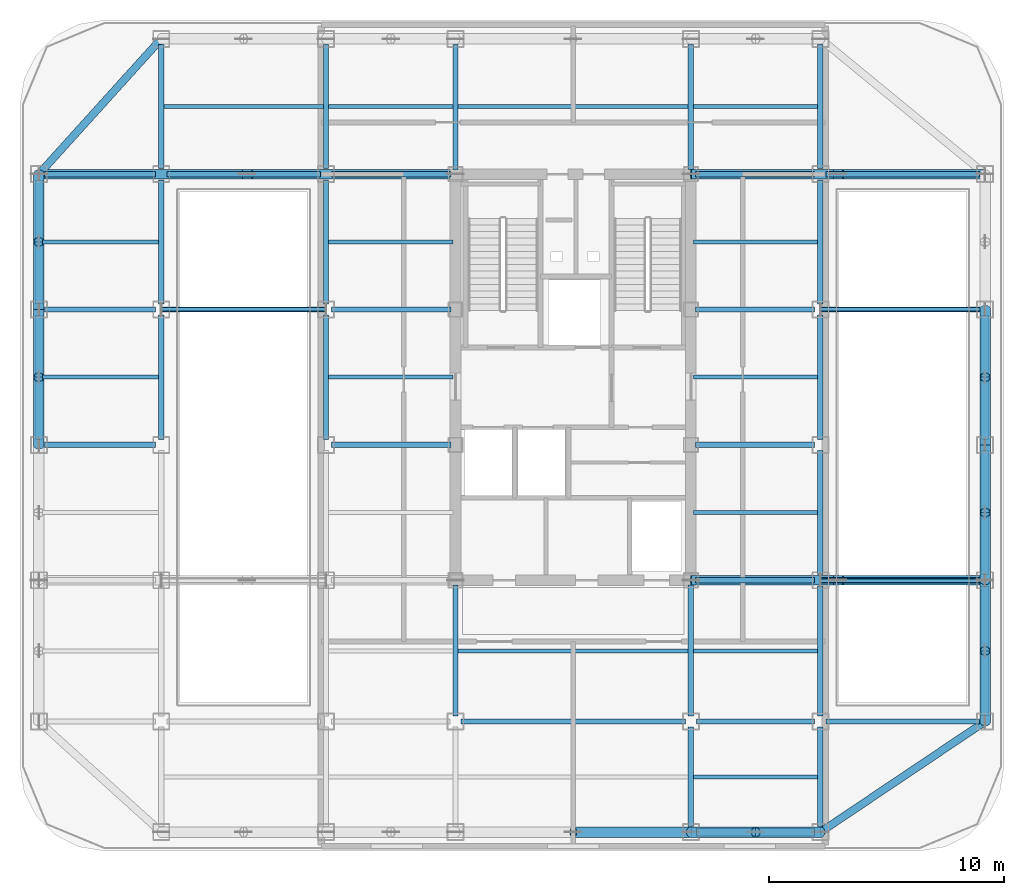
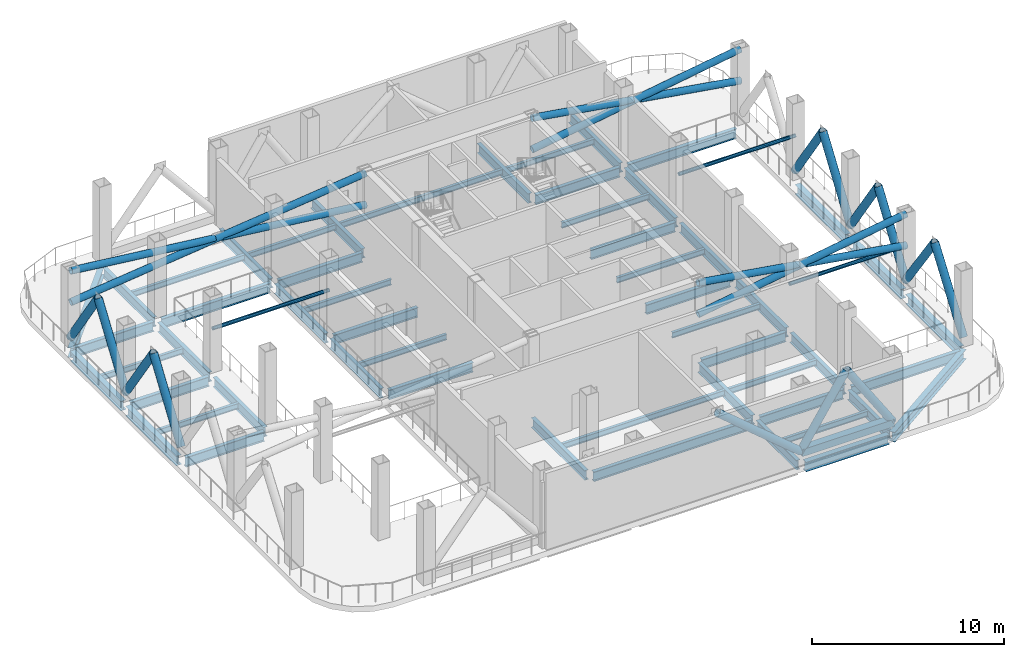
# One storey, part 2 of 10: 54 beams, 26 members.
"""IFC4 building model written with IfcOpenShell, lengths in metres."""

from ifc_helpers import new_model, si_unit, direction, frame, origin, origin_2d, place, context, subcontext, project, spatial, hollow_rectangle, hollow_circle, i_section, extrude, source, transform, mapped, material, material_profile, profile_set, type_object, element, save


model = new_model("IFC4")

# Units and contexts
model_context = context("Model", 3, precision=1e-05, world=origin(), true_north=direction((0.0, 1.0)))
body_context = subcontext(model_context, "Body", "Model", "MODEL_VIEW")
ifc_project = project(units=[si_unit("LENGTHUNIT", "METRE"), si_unit("AREAUNIT", "SQUARE_METRE"), si_unit("VOLUMEUNIT", "CUBIC_METRE"), si_unit("PLANEANGLEUNIT", "RADIAN"), si_unit("MASSUNIT", "GRAM", prefix="KILO")], contexts=[model_context])

# Site, building, storey
site_placement = place(None, origin())
site = spatial("IfcSite", under=ifc_project, at=site_placement, CompositionType="ELEMENT")
building_placement = place(site_placement, origin())
building = spatial("IfcBuilding", under=site, at=building_placement, Name="Kolveth Station Tower", CompositionType="ELEMENT")
storey_placement = place(building_placement, frame((0.0, 0.0, 188.10009765625)))
storey = spatial("IfcBuildingStorey", under=building, at=storey_placement, Name="L53", CompositionType="ELEMENT", Elevation=188.10009765625)

# Beams
ifc_material_1 = material(Name="Steel S355", Category="steel")
ifc_material_profile_1 = material_profile(ifc_material_1, i_section(OverallWidth=0.323974609375, OverallDepth=0.611083984375, WebThickness=0.0126953125, FlangeThickness=0.01904296875, at=origin_2d()), Name="W610x155")
ifc_profile_set_1 = profile_set([ifc_material_profile_1], Name="Steel S355")
beam_type_1 = type_object("IfcBeamType", Name="Beam_SP2", PredefinedType="SPANDREL", material=ifc_profile_set_1)
shared_shape_1 = source(origin(), body_context, "Body", "SweptSolid", [
    extrude(i_section(OverallWidth=0.323974609375, OverallDepth=0.611083984375, WebThickness=0.0126953125, FlangeThickness=0.01904296875, at=origin_2d()), origin(), (0.0, 0.0, 1.0), 7.75244140625),
])
beam_1_placement = place(storey_placement, frame((6.0, 34.5, -0.66552734375), z_axis=(-0.670740965555, -0.74169168603, 0.0), x_axis=(0.74169168603, -0.670740965555, 0.0)))
element("IfcBeam", 1, at=beam_1_placement, inside=storey, type_object=beam_type_1, Name="L53 Corner Edge Girder BM-L53-CNR-NW", PredefinedType="SPANDREL", context=body_context, shape_type="MappedRepresentation", body=[
    mapped(shared_shape_1, transform((0.0, 0.0, 0.0), x_axis=(1.0, 0.0, 0.0), y_axis=(0.0, 1.0, 0.0), z_axis=(0.0, 0.0, 1.0), scale=1.0)),
])
shared_shape_2 = source(origin(), body_context, "Body", "SweptSolid", [
    extrude(i_section(OverallWidth=0.323974609375, OverallDepth=0.611083984375, WebThickness=0.0126953125, FlangeThickness=0.01904296875, at=origin_2d()), origin(), (0.0, 0.0, 1.0), 5.02001953125),
])
beam_2_placement = place(storey_placement, frame((28.739990234375, 0.800048828125, -0.66552734375), z_axis=(1.0, 0.0, 0.0), x_axis=(0.0, 1.0, 0.0)))
element("IfcBeam", 2, at=beam_2_placement, inside=storey, type_object=beam_type_1, Name="L53 Perimeter Spandrel BM-L53-PS-4", PredefinedType="SPANDREL", context=body_context, shape_type="MappedRepresentation", body=[
    mapped(shared_shape_2, transform((0.0, 0.0, 0.0), x_axis=(1.0, 0.0, 0.0), y_axis=(0.0, 1.0, 0.0), z_axis=(0.0, 0.0, 1.0), scale=1.0)),
])
shared_shape_3 = source(origin(), body_context, "Body", "SweptSolid", [
    extrude(i_section(OverallWidth=0.323974609375, OverallDepth=0.611083984375, WebThickness=0.0126953125, FlangeThickness=0.01904296875, at=origin_2d()), origin(), (0.0, 0.0, 1.0), 5.52001953125),
])
beam_3_placement = place(storey_placement, frame((41.0, 5.739990234375, -0.66552734375), z_axis=(0.0, 1.0, 0.0), x_axis=(-1.0, 0.0, 0.0)))
element("IfcBeam", 3, at=beam_3_placement, inside=storey, type_object=beam_type_1, Name="L53 Perimeter Spandrel BM-L53-PE-1", PredefinedType="SPANDREL", context=body_context, shape_type="MappedRepresentation", body=[
    mapped(shared_shape_3, transform((0.0, 0.0, 0.0), x_axis=(1.0, 0.0, 0.0), y_axis=(0.0, 1.0, 0.0), z_axis=(0.0, 0.0, 1.0), scale=1.0)),
])
shared_shape_4 = source(origin(), body_context, "Body", "SweptSolid", [
    extrude(i_section(OverallWidth=0.323974609375, OverallDepth=0.611083984375, WebThickness=0.0126953125, FlangeThickness=0.01904296875, at=origin_2d()), origin(), (0.0, 0.0, 1.0), 5.27001953125),
])
for number, where, z_axis, x_axis, name in (
    (4, (0.800048828125, 17.489990234375, -0.66552734375), (0.0, 1.0, 0.0), (-1.0, 0.0, 0.0), "L53 Perimeter Spandrel BM-L53-PW-3"),
    (5, (0.800048828125, 23.239990234375, -0.66552734375), (0.0, 1.0, 0.0), (-1.0, 0.0, 0.0), "L53 Perimeter Spandrel BM-L53-PW-4"),
    (6, (41.0, 11.739990234375, -0.66552734375), (0.0, 1.0, 0.0), (-1.0, 0.0, 0.0), "L53 Perimeter Spandrel BM-L53-PE-2"),
    (7, (41.0, 17.489990234375, -0.66552734375), (0.0, 1.0, 0.0), (-1.0, 0.0, 0.0), "L53 Perimeter Spandrel BM-L53-PE-3"),
):
    element("IfcBeam", number, at=place(storey_placement, frame(where, z_axis=z_axis, x_axis=x_axis)), inside=storey, type_object=beam_type_1, Name=name, PredefinedType="SPANDREL", context=body_context, shape_type="MappedRepresentation", body=[
        mapped(shared_shape_4, transform((0.0, 0.0, 0.0), x_axis=(1.0, 0.0, 0.0), y_axis=(0.0, 1.0, 0.0), z_axis=(0.0, 0.0, 1.0), scale=1.0)),
    ])
shared_shape_5 = source(origin(), body_context, "Body", "SweptSolid", [
    extrude(i_section(OverallWidth=0.323974609375, OverallDepth=0.611083984375, WebThickness=0.0126953125, FlangeThickness=0.01904296875, at=origin_2d()), origin(), (0.0, 0.0, 1.0), 8.431396484375),
])
beam_4_placement = place(storey_placement, frame((34.0, 0.800048828125, -0.66552734375), z_axis=(0.830223811004, 0.557430196206, 0.0), x_axis=(-0.557430196206, 0.830223811004, 0.0)))
element("IfcBeam", 8, at=beam_4_placement, inside=storey, type_object=beam_type_1, Name="L53 Corner Edge Girder BM-L53-CNR-SE", PredefinedType="SPANDREL", context=body_context, shape_type="MappedRepresentation", body=[
    mapped(shared_shape_5, transform((0.0, 0.0, 0.0), x_axis=(1.0, 0.0, 0.0), y_axis=(0.0, 1.0, 0.0), z_axis=(0.0, 0.0, 1.0), scale=1.0)),
])
ifc_material_profile_2 = material_profile(ifc_material_1, i_section(OverallWidth=0.22900390625, OverallDepth=0.612060546875, WebThickness=0.011962890625, FlangeThickness=0.01953125, at=origin_2d()), Name="W610x125")
ifc_profile_set_2 = profile_set([ifc_material_profile_2], Name="Steel S355")
beam_type_2 = type_object("IfcBeamType", Name="Beam_B5", PredefinedType="BEAM", material=ifc_profile_set_2)
shared_shape_6 = source(origin(), body_context, "Body", "SweptSolid", [
    extrude(i_section(OverallWidth=0.22900390625, OverallDepth=0.612060546875, WebThickness=0.011962890625, FlangeThickness=0.01953125, at=origin_2d()), origin(), (0.0, 0.0, 1.0), 4.719970703125),
])
for number, where, z_axis, x_axis, name in (
    (9, (1.0400390625, 17.25, -0.666015625), (1.0, 0.0, 0.0), (0.0, 1.0, 0.0), "L53 Primary Girder BM-L53-GY172-1"),
    (10, (1.0400390625, 23.0, -0.666015625), (1.0, 0.0, 0.0), (0.0, 1.0, 0.0), "L53 Primary Girder BM-L53-GY230-1"),
    (11, (1.0400390625, 28.75, -0.666015625), (1.0, 0.0, 0.0), (0.0, 1.0, 0.0), "L53 Primary Girder BM-L53-GY287-1"),
):
    element("IfcBeam", number, at=place(storey_placement, frame(where, z_axis=z_axis, x_axis=x_axis)), inside=storey, type_object=beam_type_2, Name=name, PredefinedType="BEAM", context=body_context, shape_type="MappedRepresentation", body=[
        mapped(shared_shape_6, transform((0.0, 0.0, 0.0), x_axis=(1.0, 0.0, 0.0), y_axis=(0.0, 1.0, 0.0), z_axis=(0.0, 0.0, 1.0), scale=1.0)),
    ])
shared_shape_7 = source(origin(), body_context, "Body", "SweptSolid", [
    extrude(i_section(OverallWidth=0.22900390625, OverallDepth=0.612060546875, WebThickness=0.011962890625, FlangeThickness=0.01953125, at=origin_2d()), origin(), (0.0, 0.0, 1.0), 6.52001953125),
])
for number, where, z_axis, x_axis, name in (
    (12, (34.239990234375, 5.5, -0.666015625), (1.0, 0.0, 0.0), (0.0, 1.0, 0.0), "L53 Primary Girder BM-L53-GY55-6"),
    (13, (6.239990234375, 28.75, -0.666015625), (1.0, 0.0, 0.0), (0.0, 1.0, 0.0), "L53 Primary Girder BM-L53-GY287-2"),
    (14, (34.239990234375, 28.75, -0.666015625), (1.0, 0.0, 0.0), (0.0, 1.0, 0.0), "L53 Primary Girder BM-L53-GY287-6"),
):
    element("IfcBeam", number, at=place(storey_placement, frame(where, z_axis=z_axis, x_axis=x_axis)), inside=storey, type_object=beam_type_2, Name=name, PredefinedType="BEAM", context=body_context, shape_type="MappedRepresentation", body=[
        mapped(shared_shape_7, transform((0.0, 0.0, 0.0), x_axis=(1.0, 0.0, 0.0), y_axis=(0.0, 1.0, 0.0), z_axis=(0.0, 0.0, 1.0), scale=1.0)),
    ])
shared_shape_8 = source(origin(), body_context, "Body", "SweptSolid", [
    extrude(i_section(OverallWidth=0.22900390625, OverallDepth=0.612060546875, WebThickness=0.011962890625, FlangeThickness=0.01953125, at=origin_2d()), origin(), (0.0, 0.0, 1.0), 5.02001953125),
])
beam_5_placement = place(storey_placement, frame((28.739990234375, 5.5, -0.666015625), z_axis=(1.0, 0.0, 0.0), x_axis=(0.0, 1.0, 0.0)))
element("IfcBeam", 15, at=beam_5_placement, inside=storey, type_object=beam_type_2, Name="L53 Primary Girder BM-L53-GY55-5", PredefinedType="BEAM", context=body_context, shape_type="MappedRepresentation", body=[
    mapped(shared_shape_8, transform((0.0, 0.0, 0.0), x_axis=(1.0, 0.0, 0.0), y_axis=(0.0, 1.0, 0.0), z_axis=(0.0, 0.0, 1.0), scale=1.0)),
])
shared_shape_9 = source(origin(), body_context, "Body", "SweptSolid", [
    extrude(i_section(OverallWidth=0.22900390625, OverallDepth=0.612060546875, WebThickness=0.011962890625, FlangeThickness=0.01953125, at=origin_2d()), origin(), (0.0, 0.0, 1.0), 9.52001953125),
])
beam_6_placement = place(storey_placement, frame((18.739990234375, 5.5, -0.666015625), z_axis=(1.0, 0.0, 0.0), x_axis=(0.0, 1.0, 0.0)))
element("IfcBeam", 16, at=beam_6_placement, inside=storey, type_object=beam_type_2, Name="L53 Primary Girder BM-L53-GY55-4", PredefinedType="BEAM", context=body_context, shape_type="MappedRepresentation", body=[
    mapped(shared_shape_9, transform((0.0, 0.0, 0.0), x_axis=(1.0, 0.0, 0.0), y_axis=(0.0, 1.0, 0.0), z_axis=(0.0, 0.0, 1.0), scale=1.0)),
])
shared_shape_10 = source(origin(), body_context, "Body", "SweptSolid", [
    extrude(i_section(OverallWidth=0.22900390625, OverallDepth=0.612060546875, WebThickness=0.011962890625, FlangeThickness=0.01953125, at=origin_2d()), origin(), (0.0, 0.0, 1.0), 5.06005859375),
])
for number, where, z_axis, x_axis, name in (
    (17, (28.699951171875, 11.5, -0.666015625), (1.0, 0.0, 0.0), (0.0, 1.0, 0.0), "L53 Primary Girder BM-L53-GY115-5"),
    (18, (13.239990234375, 17.25, -0.666015625), (1.0, 0.0, 0.0), (0.0, 1.0, 0.0), "L53 Primary Girder BM-L53-GY172-3"),
    (19, (28.699951171875, 17.25, -0.666015625), (1.0, 0.0, 0.0), (0.0, 1.0, 0.0), "L53 Primary Girder BM-L53-GY172-5"),
    (20, (13.239990234375, 23.0, -0.666015625), (1.0, 0.0, 0.0), (0.0, 1.0, 0.0), "L53 Primary Girder BM-L53-GY230-3"),
    (21, (28.699951171875, 23.0, -0.666015625), (1.0, 0.0, 0.0), (0.0, 1.0, 0.0), "L53 Primary Girder BM-L53-GY230-5"),
    (22, (13.239990234375, 28.75, -0.666015625), (1.0, 0.0, 0.0), (0.0, 1.0, 0.0), "L53 Primary Girder BM-L53-GY287-3"),
    (23, (28.699951171875, 28.75, -0.666015625), (1.0, 0.0, 0.0), (0.0, 1.0, 0.0), "L53 Primary Girder BM-L53-GY287-5"),
):
    element("IfcBeam", number, at=place(storey_placement, frame(where, z_axis=z_axis, x_axis=x_axis)), inside=storey, type_object=beam_type_2, Name=name, PredefinedType="BEAM", context=body_context, shape_type="MappedRepresentation", body=[
        mapped(shared_shape_10, transform((0.0, 0.0, 0.0), x_axis=(1.0, 0.0, 0.0), y_axis=(0.0, 1.0, 0.0), z_axis=(0.0, 0.0, 1.0), scale=1.0)),
    ])
shared_shape_11 = source(origin(), body_context, "Body", "SweptSolid", [
    extrude(i_section(OverallWidth=0.22900390625, OverallDepth=0.612060546875, WebThickness=0.011962890625, FlangeThickness=0.01953125, at=origin_2d()), origin(), (0.0, 0.0, 1.0), 4.219970703125),
])
for number, where, z_axis, x_axis, name in (
    (24, (28.5, 1.0400390625, -0.666015625), (0.0, 1.0, 0.0), (-1.0, 0.0, 0.0), "L53 Primary Girder BM-L53-GX285-1"),
    (25, (34.0, 1.0400390625, -0.666015625), (0.0, 1.0, 0.0), (-1.0, 0.0, 0.0), "L53 Primary Girder BM-L53-GX340-1"),
):
    element("IfcBeam", number, at=place(storey_placement, frame(where, z_axis=z_axis, x_axis=x_axis)), inside=storey, type_object=beam_type_2, Name=name, PredefinedType="BEAM", context=body_context, shape_type="MappedRepresentation", body=[
        mapped(shared_shape_11, transform((0.0, 0.0, 0.0), x_axis=(1.0, 0.0, 0.0), y_axis=(0.0, 1.0, 0.0), z_axis=(0.0, 0.0, 1.0), scale=1.0)),
    ])
shared_shape_12 = source(origin(), body_context, "Body", "SweptSolid", [
    extrude(i_section(OverallWidth=0.22900390625, OverallDepth=0.612060546875, WebThickness=0.011962890625, FlangeThickness=0.01953125, at=origin_2d()), origin(), (0.0, 0.0, 1.0), 5.52001953125),
])
beam_7_placement = place(storey_placement, frame((34.0, 5.739990234375, -0.666015625), z_axis=(0.0, 1.0, 0.0), x_axis=(-1.0, 0.0, 0.0)))
element("IfcBeam", 26, at=beam_7_placement, inside=storey, type_object=beam_type_2, Name="L53 Primary Girder BM-L53-GX340-2", PredefinedType="BEAM", context=body_context, shape_type="MappedRepresentation", body=[
    mapped(shared_shape_12, transform((0.0, 0.0, 0.0), x_axis=(1.0, 0.0, 0.0), y_axis=(0.0, 1.0, 0.0), z_axis=(0.0, 0.0, 1.0), scale=1.0)),
])
shared_shape_13 = source(origin(), body_context, "Body", "SweptSolid", [
    extrude(i_section(OverallWidth=0.22900390625, OverallDepth=0.612060546875, WebThickness=0.011962890625, FlangeThickness=0.01953125, at=origin_2d()), origin(), (0.0, 0.0, 1.0), 5.27001953125),
])
for number, where, z_axis, x_axis, name in (
    (27, (6.0, 17.489990234375, -0.666015625), (0.0, 1.0, 0.0), (-1.0, 0.0, 0.0), "L53 Primary Girder BM-L53-GX60-4"),
    (28, (6.0, 23.239990234375, -0.666015625), (0.0, 1.0, 0.0), (-1.0, 0.0, 0.0), "L53 Primary Girder BM-L53-GX60-5"),
    (29, (6.0, 28.989990234375, -0.666015625), (0.0, 1.0, 0.0), (-1.0, 0.0, 0.0), "L53 Primary Girder BM-L53-GX60-6"),
    (30, (13.0, 17.489990234375, -0.666015625), (0.0, 1.0, 0.0), (-1.0, 0.0, 0.0), "L53 Primary Girder BM-L53-GX130-4"),
    (31, (13.0, 23.239990234375, -0.666015625), (0.0, 1.0, 0.0), (-1.0, 0.0, 0.0), "L53 Primary Girder BM-L53-GX130-5"),
    (32, (13.0, 28.989990234375, -0.666015625), (0.0, 1.0, 0.0), (-1.0, 0.0, 0.0), "L53 Primary Girder BM-L53-GX130-6"),
    (33, (34.0, 11.739990234375, -0.666015625), (0.0, 1.0, 0.0), (-1.0, 0.0, 0.0), "L53 Primary Girder BM-L53-GX340-3"),
    (34, (34.0, 17.489990234375, -0.666015625), (0.0, 1.0, 0.0), (-1.0, 0.0, 0.0), "L53 Primary Girder BM-L53-GX340-4"),
    (35, (34.0, 23.239990234375, -0.666015625), (0.0, 1.0, 0.0), (-1.0, 0.0, 0.0), "L53 Primary Girder BM-L53-GX340-5"),
    (36, (34.0, 28.989990234375, -0.666015625), (0.0, 1.0, 0.0), (-1.0, 0.0, 0.0), "L53 Primary Girder BM-L53-GX340-6"),
):
    element("IfcBeam", number, at=place(storey_placement, frame(where, z_axis=z_axis, x_axis=x_axis)), inside=storey, type_object=beam_type_2, Name=name, PredefinedType="BEAM", context=body_context, shape_type="MappedRepresentation", body=[
        mapped(shared_shape_13, transform((0.0, 0.0, 0.0), x_axis=(1.0, 0.0, 0.0), y_axis=(0.0, 1.0, 0.0), z_axis=(0.0, 0.0, 1.0), scale=1.0)),
    ])
shared_shape_14 = source(origin(), body_context, "Body", "SweptSolid", [
    extrude(i_section(OverallWidth=0.22900390625, OverallDepth=0.612060546875, WebThickness=0.011962890625, FlangeThickness=0.01953125, at=origin_2d()), origin(), (0.0, 0.0, 1.0), 5.56005859375),
])
for number, where, z_axis, x_axis, name in (
    (37, (18.5, 5.739990234375, -0.666015625), (0.0, 1.0, 0.0), (-1.0, 0.0, 0.0), "L53 Primary Girder BM-L53-GX185-2"),
    (38, (28.5, 5.739990234375, -0.666015625), (0.0, 1.0, 0.0), (-1.0, 0.0, 0.0), "L53 Primary Girder BM-L53-GX285-2"),
):
    element("IfcBeam", number, at=place(storey_placement, frame(where, z_axis=z_axis, x_axis=x_axis)), inside=storey, type_object=beam_type_2, Name=name, PredefinedType="BEAM", context=body_context, shape_type="MappedRepresentation", body=[
        mapped(shared_shape_14, transform((0.0, 0.0, 0.0), x_axis=(1.0, 0.0, 0.0), y_axis=(0.0, 1.0, 0.0), z_axis=(0.0, 0.0, 1.0), scale=1.0)),
    ])
shared_shape_15 = source(origin(), body_context, "Body", "SweptSolid", [
    extrude(i_section(OverallWidth=0.22900390625, OverallDepth=0.612060546875, WebThickness=0.011962890625, FlangeThickness=0.01953125, at=origin_2d()), origin(), (0.0, 0.0, 1.0), 5.31005859375),
])
for number, where, z_axis, x_axis, name in (
    (39, (18.5, 28.949951171875, -0.666015625), (0.0, 1.0, 0.0), (-1.0, 0.0, 0.0), "L53 Primary Girder BM-L53-GX185-6"),
    (40, (28.5, 28.949951171875, -0.666015625), (0.0, 1.0, 0.0), (-1.0, 0.0, 0.0), "L53 Primary Girder BM-L53-GX285-6"),
):
    element("IfcBeam", number, at=place(storey_placement, frame(where, z_axis=z_axis, x_axis=x_axis)), inside=storey, type_object=beam_type_2, Name=name, PredefinedType="BEAM", context=body_context, shape_type="MappedRepresentation", body=[
        mapped(shared_shape_15, transform((0.0, 0.0, 0.0), x_axis=(1.0, 0.0, 0.0), y_axis=(0.0, 1.0, 0.0), z_axis=(0.0, 0.0, 1.0), scale=1.0)),
    ])
ifc_material_profile_3 = material_profile(ifc_material_1, i_section(OverallWidth=0.1708984375, OverallDepth=0.35205078125, WebThickness=0.0068359375, FlangeThickness=0.009765625, at=origin_2d()), Name="W360x44")
ifc_profile_set_3 = profile_set([ifc_material_profile_3], Name="Steel S355")
beam_type_3 = type_object("IfcBeamType", Name="Beam_J2", PredefinedType="JOIST", material=ifc_profile_set_3)
shared_shape_16 = source(origin(), body_context, "Body", "SweptSolid", [
    extrude(i_section(OverallWidth=0.1708984375, OverallDepth=0.35205078125, WebThickness=0.0068359375, FlangeThickness=0.009765625, at=origin_2d()), origin(), (0.0, 0.0, 1.0), 4.927490234375),
])
for number, where, z_axis, x_axis, name in (
    (41, (0.9599609375, 20.125, -0.5361328125), (1.0, 0.0, 0.0), (0.0, 1.0, 0.0), "L53 Secondary Joist JST-L53-1-4"),
    (42, (0.9599609375, 25.875, -0.5361328125), (1.0, 0.0, 0.0), (0.0, 1.0, 0.0), "L53 Secondary Joist JST-L53-1-5"),
):
    element("IfcBeam", number, at=place(storey_placement, frame(where, z_axis=z_axis, x_axis=x_axis)), inside=storey, type_object=beam_type_3, Name=name, PredefinedType="JOIST", context=body_context, shape_type="MappedRepresentation", body=[
        mapped(shared_shape_16, transform((0.0, 0.0, 0.0), x_axis=(1.0, 0.0, 0.0), y_axis=(0.0, 1.0, 0.0), z_axis=(0.0, 0.0, 1.0), scale=1.0)),
    ])
shared_shape_17 = source(origin(), body_context, "Body", "SweptSolid", [
    extrude(i_section(OverallWidth=0.1708984375, OverallDepth=0.35205078125, WebThickness=0.0068359375, FlangeThickness=0.009765625, at=origin_2d()), origin(), (0.0, 0.0, 1.0), 6.77490234375),
])
beam_8_placement = place(storey_placement, frame((6.112548828125, 31.625, -0.5361328125), z_axis=(1.0, 0.0, 0.0), x_axis=(0.0, 1.0, 0.0)))
element("IfcBeam", 43, at=beam_8_placement, inside=storey, type_object=beam_type_3, Name="L53 Secondary Joist JST-L53-2-6", PredefinedType="JOIST", context=body_context, shape_type="MappedRepresentation", body=[
    mapped(shared_shape_17, transform((0.0, 0.0, 0.0), x_axis=(1.0, 0.0, 0.0), y_axis=(0.0, 1.0, 0.0), z_axis=(0.0, 0.0, 1.0), scale=1.0)),
])
shared_shape_18 = source(origin(), body_context, "Body", "SweptSolid", [
    extrude(i_section(OverallWidth=0.1708984375, OverallDepth=0.35205078125, WebThickness=0.0068359375, FlangeThickness=0.009765625, at=origin_2d()), origin(), (0.0, 0.0, 1.0), 5.27490234375),
])
for number, where, z_axis, x_axis, name in (
    (44, (13.112548828125, 20.125, -0.5361328125), (1.0, 0.0, 0.0), (0.0, 1.0, 0.0), "L53 Secondary Joist JST-L53-3-4"),
    (45, (13.112548828125, 25.875, -0.5361328125), (1.0, 0.0, 0.0), (0.0, 1.0, 0.0), "L53 Secondary Joist JST-L53-3-5"),
    (46, (13.112548828125, 31.625, -0.5361328125), (1.0, 0.0, 0.0), (0.0, 1.0, 0.0), "L53 Secondary Joist JST-L53-3-6"),
    (47, (28.612548828125, 3.14990234375, -0.5361328125), (1.0, 0.0, 0.0), (0.0, 1.0, 0.0), "L53 Secondary Joist JST-L53-5-1"),
    (48, (28.612548828125, 8.5, -0.5361328125), (1.0, 0.0, 0.0), (0.0, 1.0, 0.0), "L53 Secondary Joist JST-L53-5-2"),
    (49, (28.612548828125, 14.375, -0.5361328125), (1.0, 0.0, 0.0), (0.0, 1.0, 0.0), "L53 Secondary Joist JST-L53-5-3"),
    (50, (28.612548828125, 20.125, -0.5361328125), (1.0, 0.0, 0.0), (0.0, 1.0, 0.0), "L53 Secondary Joist JST-L53-5-4"),
    (51, (28.612548828125, 25.875, -0.5361328125), (1.0, 0.0, 0.0), (0.0, 1.0, 0.0), "L53 Secondary Joist JST-L53-5-5"),
    (52, (28.612548828125, 31.625, -0.5361328125), (1.0, 0.0, 0.0), (0.0, 1.0, 0.0), "L53 Secondary Joist JST-L53-5-6"),
):
    element("IfcBeam", number, at=place(storey_placement, frame(where, z_axis=z_axis, x_axis=x_axis)), inside=storey, type_object=beam_type_3, Name=name, PredefinedType="JOIST", context=body_context, shape_type="MappedRepresentation", body=[
        mapped(shared_shape_18, transform((0.0, 0.0, 0.0), x_axis=(1.0, 0.0, 0.0), y_axis=(0.0, 1.0, 0.0), z_axis=(0.0, 0.0, 1.0), scale=1.0)),
    ])
shared_shape_19 = source(origin(), body_context, "Body", "SweptSolid", [
    extrude(i_section(OverallWidth=0.1708984375, OverallDepth=0.35205078125, WebThickness=0.0068359375, FlangeThickness=0.009765625, at=origin_2d()), origin(), (0.0, 0.0, 1.0), 9.77490234375),
])
for number, where, z_axis, x_axis, name in (
    (53, (18.612548828125, 8.5, -0.5361328125), (1.0, 0.0, 0.0), (0.0, 1.0, 0.0), "L53 Secondary Joist JST-L53-4-2"),
    (54, (18.612548828125, 31.625, -0.5361328125), (1.0, 0.0, 0.0), (0.0, 1.0, 0.0), "L53 Secondary Joist JST-L53-4-6"),
):
    element("IfcBeam", number, at=place(storey_placement, frame(where, z_axis=z_axis, x_axis=x_axis)), inside=storey, type_object=beam_type_3, Name=name, PredefinedType="JOIST", context=body_context, shape_type="MappedRepresentation", body=[
        mapped(shared_shape_19, transform((0.0, 0.0, 0.0), x_axis=(1.0, 0.0, 0.0), y_axis=(0.0, 1.0, 0.0), z_axis=(0.0, 0.0, 1.0), scale=1.0)),
    ])

# Members
ifc_material_2 = material(Name="Steel S460", Category="steel")
ifc_material_profile_4 = material_profile(ifc_material_2, hollow_rectangle(XDim=0.449951171875, YDim=0.449951171875, WallThickness=0.02490234375, at=origin_2d()), Name="HSS450x450x25")
ifc_profile_set_4 = profile_set([ifc_material_profile_4], Name="Steel S460")
member_type_1 = type_object("IfcMemberType", Name="Mem_CH1", PredefinedType="CHORD", material=ifc_profile_set_4)
shared_shape_20 = source(origin(), body_context, "Body", "SweptSolid", [
    extrude(hollow_rectangle(XDim=0.449951171875, YDim=0.449951171875, WallThickness=0.02490234375, at=origin_2d()), origin(), (0.0, 0.0, 1.0), 5.5),
])
member_1_placement = place(storey_placement, frame((28.5, 0.800048828125, 0.349853515625), z_axis=(1.0, 0.0, 0.0), x_axis=(0.0, 1.0, 0.0)))
element("IfcMember", 55, at=member_1_placement, inside=storey, type_object=member_type_1, Name="L53 Belt Truss Bottom Chord S4", PredefinedType="CHORD", context=body_context, shape_type="MappedRepresentation", body=[
    mapped(shared_shape_20, transform((0.0, 0.0, 0.0), x_axis=(1.0, 0.0, 0.0), y_axis=(0.0, 1.0, 0.0), z_axis=(0.0, 0.0, 1.0), scale=1.0)),
])
ifc_material_profile_5 = material_profile(ifc_material_2, hollow_circle(Radius=0.228515625, WallThickness=0.02197265625, at=origin_2d()), Name="CHS457x22")
ifc_profile_set_5 = profile_set([ifc_material_profile_5], Name="Steel S460")
member_type_2 = type_object("IfcMemberType", Name="Mem_BR2", PredefinedType="BRACE", material=ifc_profile_set_5)
shared_shape_21 = source(origin(), body_context, "Body", "SweptSolid", [
    extrude(hollow_circle(Radius=0.228515625, WallThickness=0.02197265625, at=origin_2d()), origin(), (0.0, 0.0, 1.0), 5.020263671875),
])
for number, where, z_axis, x_axis, name in (
    (56, (28.5, 0.800048828125, 0.349853515625), (0.547790398843, 0.0, 0.836615610023), (0.0, 1.0, 0.0), "L53 Belt Truss Brace S4A"),
    (57, (34.0, 0.800048828125, 0.349853515625), (-0.547790398843, 0.0, 0.836615610023), (0.0, -1.0, 0.0), "L53 Belt Truss Brace S4B"),
):
    element("IfcMember", number, at=place(storey_placement, frame(where, z_axis=z_axis, x_axis=x_axis)), inside=storey, type_object=member_type_2, Name=name, PredefinedType="BRACE", context=body_context, shape_type="MappedRepresentation", body=[
        mapped(shared_shape_21, transform((0.0, 0.0, 0.0), x_axis=(1.0, 0.0, 0.0), y_axis=(0.0, 1.0, 0.0), z_axis=(0.0, 0.0, 1.0), scale=1.0)),
    ])
shared_shape_22 = source(origin(), body_context, "Body", "SweptSolid", [
    extrude(hollow_circle(Radius=0.228515625, WallThickness=0.02197265625, at=origin_2d()), origin(), (0.0, 0.0, 1.0), 6.52978515625),
])
member_2_placement = place(storey_placement, frame((28.5, 0.800048828125, 0.349853515625), z_axis=(-0.765708547471, 0.0, 0.643187702253), x_axis=(0.0, -1.0, 0.0)))
element("IfcMember", 58, at=member_2_placement, inside=storey, type_object=member_type_2, Name="L53 Belt Truss Brace S3B", PredefinedType="BRACE", context=body_context, shape_type="MappedRepresentation", body=[
    mapped(shared_shape_22, transform((0.0, 0.0, 0.0), x_axis=(1.0, 0.0, 0.0), y_axis=(0.0, 1.0, 0.0), z_axis=(0.0, 0.0, 1.0), scale=1.0)),
])
shared_shape_23 = source(origin(), body_context, "Body", "SweptSolid", [
    extrude(hollow_circle(Radius=0.228515625, WallThickness=0.02197265625, at=origin_2d()), origin(), (0.0, 0.0, 1.0), 5.161376953125),
])
for number, where, z_axis, x_axis, name in (
    (59, (41.0, 5.5, 0.349853515625), (0.0, 0.581242668191, 0.813730275137), (-1.0, 0.0, 0.0), "L53 Belt Truss Brace E1A"),
    (60, (41.0, 11.5, 0.349853515625), (0.0, -0.581242668191, 0.813730275137), (1.0, 0.0, 0.0), "L53 Belt Truss Brace E1B"),
):
    element("IfcMember", number, at=place(storey_placement, frame(where, z_axis=z_axis, x_axis=x_axis)), inside=storey, type_object=member_type_2, Name=name, PredefinedType="BRACE", context=body_context, shape_type="MappedRepresentation", body=[
        mapped(shared_shape_23, transform((0.0, 0.0, 0.0), x_axis=(1.0, 0.0, 0.0), y_axis=(0.0, 1.0, 0.0), z_axis=(0.0, 0.0, 1.0), scale=1.0)),
    ])
shared_shape_24 = source(origin(), body_context, "Body", "SweptSolid", [
    extrude(hollow_circle(Radius=0.228515625, WallThickness=0.02197265625, at=origin_2d()), origin(), (0.0, 0.0, 1.0), 5.089599609375),
])
for number, where, z_axis, x_axis, name in (
    (61, (0.800048828125, 17.25, 0.349853515625), (0.0, 0.564864458726, 0.82518370274), (-1.0, 0.0, 0.0), "L53 Belt Truss Brace W3A"),
    (62, (0.800048828125, 23.0, 0.349853515625), (0.0, -0.564864458726, 0.82518370274), (1.0, 0.0, 0.0), "L53 Belt Truss Brace W3B"),
    (63, (0.800048828125, 23.0, 0.349853515625), (0.0, 0.564864458726, 0.82518370274), (-1.0, 0.0, 0.0), "L53 Belt Truss Brace W4A"),
    (64, (0.800048828125, 28.75, 0.349853515625), (0.0, -0.564864458726, 0.82518370274), (1.0, 0.0, 0.0), "L53 Belt Truss Brace W4B"),
    (65, (41.0, 11.5, 0.349853515625), (0.0, 0.564864458726, 0.82518370274), (-1.0, 0.0, 0.0), "L53 Belt Truss Brace E2A"),
    (66, (41.0, 17.25, 0.349853515625), (0.0, -0.564864458726, 0.82518370274), (1.0, 0.0, 0.0), "L53 Belt Truss Brace E2B"),
    (67, (41.0, 17.25, 0.349853515625), (0.0, 0.564864458726, 0.82518370274), (-1.0, 0.0, 0.0), "L53 Belt Truss Brace E3A"),
    (68, (41.0, 23.0, 0.349853515625), (0.0, -0.564864458726, 0.82518370274), (1.0, 0.0, 0.0), "L53 Belt Truss Brace E3B"),
):
    element("IfcMember", number, at=place(storey_placement, frame(where, z_axis=z_axis, x_axis=x_axis)), inside=storey, type_object=member_type_2, Name=name, PredefinedType="BRACE", context=body_context, shape_type="MappedRepresentation", body=[
        mapped(shared_shape_24, transform((0.0, 0.0, 0.0), x_axis=(1.0, 0.0, 0.0), y_axis=(0.0, 1.0, 0.0), z_axis=(0.0, 0.0, 1.0), scale=1.0)),
    ])
ifc_material_profile_6 = material_profile(ifc_material_1, hollow_circle(Radius=0.202880859375, WallThickness=0.02001953125, at=origin_2d()), Name="CHS406x20")
ifc_profile_set_6 = profile_set([ifc_material_profile_6], Name="Steel S355")
member_type_3 = type_object("IfcMemberType", Name="Mem_BR3", PredefinedType="BRACE", material=ifc_profile_set_6)
shared_shape_25 = source(origin(), body_context, "Body", "SweptSolid", [
    extrude(hollow_circle(Radius=0.202880859375, WallThickness=0.02001953125, at=origin_2d()), origin(), (0.0, 0.0, 1.0), 17.8125),
])
member_3_placement = place(storey_placement, frame((0.800048828125, 28.75, 2.5498046875), z_axis=(0.993676591147, 0.0, 0.112280150549), x_axis=(0.0, 1.0, 0.0)))
element("IfcMember", 69, at=member_3_placement, inside=storey, type_object=member_type_3, Name="L53 Outrigger Continuous Diagonal 3A", PredefinedType="BRACE", context=body_context, shape_type="MappedRepresentation", body=[
    mapped(shared_shape_25, transform((0.0, 0.0, 0.0), x_axis=(1.0, 0.0, 0.0), y_axis=(0.0, 1.0, 0.0), z_axis=(0.0, 0.0, 1.0), scale=1.0)),
])
shared_shape_26 = source(origin(), body_context, "Body", "SweptSolid", [
    extrude(hollow_circle(Radius=0.202880859375, WallThickness=0.02001953125, at=origin_2d()), origin(), (0.0, 0.0, 1.0), 8.686279296875),
])
for number, where, z_axis, x_axis, name in (
    (70, (18.5, 28.75, 2.5498046875), (-0.993676005609, 0.0, 0.112285332421), (0.0, -1.0, 0.0), "L53 Outrigger Split Lower Diagonal 3B1"),
    (71, (9.431396484375, 28.75, 3.57470703125), (-0.993679141217, 0.0, 0.11225758019), (0.0, -1.0, 0.0), "L53 Outrigger Split Upper Diagonal 3B2"),
):
    element("IfcMember", number, at=place(storey_placement, frame(where, z_axis=z_axis, x_axis=x_axis)), inside=storey, type_object=member_type_3, Name=name, PredefinedType="BRACE", context=body_context, shape_type="MappedRepresentation", body=[
        mapped(shared_shape_26, transform((0.0, 0.0, 0.0), x_axis=(1.0, 0.0, 0.0), y_axis=(0.0, 1.0, 0.0), z_axis=(0.0, 0.0, 1.0), scale=1.0)),
    ])
shared_shape_27 = source(origin(), body_context, "Body", "SweptSolid", [
    extrude(hollow_circle(Radius=0.202880859375, WallThickness=0.02001953125, at=origin_2d()), origin(), (0.0, 0.0, 1.0), 12.658935546875),
])
for number, where, z_axis, x_axis, name in (
    (72, (28.5, 11.5, 2.5498046875), (0.987440631917, 0.0, 0.157990501107), (0.0, 1.0, 0.0), "L53 Outrigger Continuous Diagonal 2A"),
    (73, (28.5, 28.75, 2.5498046875), (0.987440631917, 0.0, 0.157990501107), (0.0, 1.0, 0.0), "L53 Outrigger Continuous Diagonal 4A"),
):
    element("IfcMember", number, at=place(storey_placement, frame(where, z_axis=z_axis, x_axis=x_axis)), inside=storey, type_object=member_type_3, Name=name, PredefinedType="BRACE", context=body_context, shape_type="MappedRepresentation", body=[
        mapped(shared_shape_27, transform((0.0, 0.0, 0.0), x_axis=(1.0, 0.0, 0.0), y_axis=(0.0, 1.0, 0.0), z_axis=(0.0, 0.0, 1.0), scale=1.0)),
    ])
shared_shape_28 = source(origin(), body_context, "Body", "SweptSolid", [
    extrude(hollow_circle(Radius=0.202880859375, WallThickness=0.02001953125, at=origin_2d()), origin(), (0.0, 0.0, 1.0), 6.109375),
])
for number, where, z_axis, x_axis, name in (
    (74, (41.0, 11.5, 2.5498046875), (-0.987438138123, 0.0, 0.158006086529), (0.0, -1.0, 0.0), "L53 Outrigger Split Lower Diagonal 2B1"),
    (75, (34.53271484375, 11.5, 3.584716796875), (-0.98744437217, 0.0, 0.157967122751), (0.0, -1.0, 0.0), "L53 Outrigger Split Upper Diagonal 2B2"),
    (76, (41.0, 28.75, 2.5498046875), (-0.987438138123, 0.0, 0.158006086529), (0.0, -1.0, 0.0), "L53 Outrigger Split Lower Diagonal 4B1"),
    (77, (34.53271484375, 28.75, 3.584716796875), (-0.98744437217, 0.0, 0.157967122751), (0.0, -1.0, 0.0), "L53 Outrigger Split Upper Diagonal 4B2"),
):
    element("IfcMember", number, at=place(storey_placement, frame(where, z_axis=z_axis, x_axis=x_axis)), inside=storey, type_object=member_type_3, Name=name, PredefinedType="BRACE", context=body_context, shape_type="MappedRepresentation", body=[
        mapped(shared_shape_28, transform((0.0, 0.0, 0.0), x_axis=(1.0, 0.0, 0.0), y_axis=(0.0, 1.0, 0.0), z_axis=(0.0, 0.0, 1.0), scale=1.0)),
    ])
ifc_material_profile_7 = material_profile(ifc_material_1, hollow_circle(Radius=0.109619140625, WallThickness=0.010009765625, at=origin_2d()), Name="CHS219x10")
ifc_profile_set_7 = profile_set([ifc_material_profile_7], Name="Steel S355")
member_type_4 = type_object("IfcMemberType", Name="Mem_ST-R1", PredefinedType="STRUT", material=ifc_profile_set_7)
shared_shape_29 = source(origin(), body_context, "Body", "SweptSolid", [
    extrude(hollow_circle(Radius=0.109619140625, WallThickness=0.010009765625, at=origin_2d()), origin(), (0.0, 0.0, 1.0), 7.0),
])
for number, where, z_axis, x_axis, name in (
    (78, (6.0, 23.0, 2.5498046875), (1.0, 0.0, 0.0), (0.0, 1.0, 0.0), "L53 Wind Turbine Shroud Support Strut 1.2"),
    (79, (34.0, 11.5, 2.5498046875), (1.0, 0.0, 0.0), (0.0, 1.0, 0.0), "L53 Wind Turbine Shroud Support Strut 2.1"),
    (80, (34.0, 23.0, 2.5498046875), (1.0, 0.0, 0.0), (0.0, 1.0, 0.0), "L53 Wind Turbine Shroud Support Strut 2.2"),
):
    element("IfcMember", number, at=place(storey_placement, frame(where, z_axis=z_axis, x_axis=x_axis)), inside=storey, type_object=member_type_4, Name=name, PredefinedType="STRUT", context=body_context, shape_type="MappedRepresentation", body=[
        mapped(shared_shape_29, transform((0.0, 0.0, 0.0), x_axis=(1.0, 0.0, 0.0), y_axis=(0.0, 1.0, 0.0), z_axis=(0.0, 0.0, 1.0), scale=1.0)),
    ])

save(model, "model.ifc")
